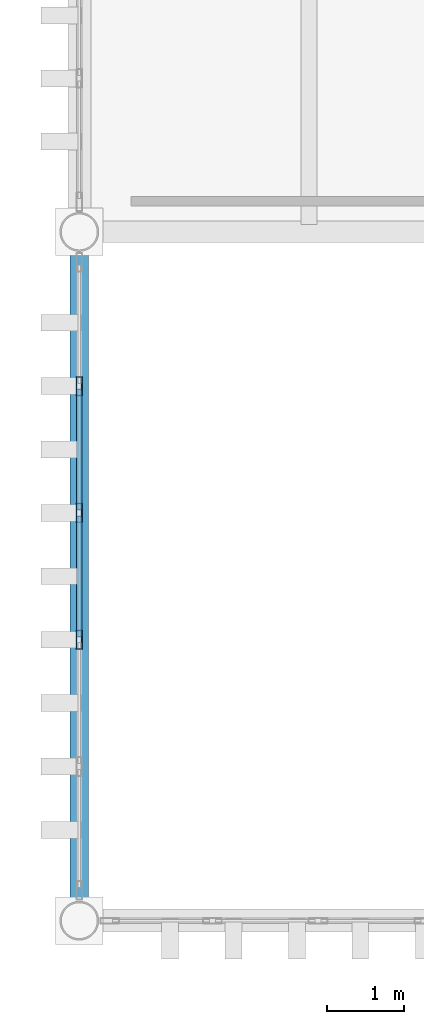
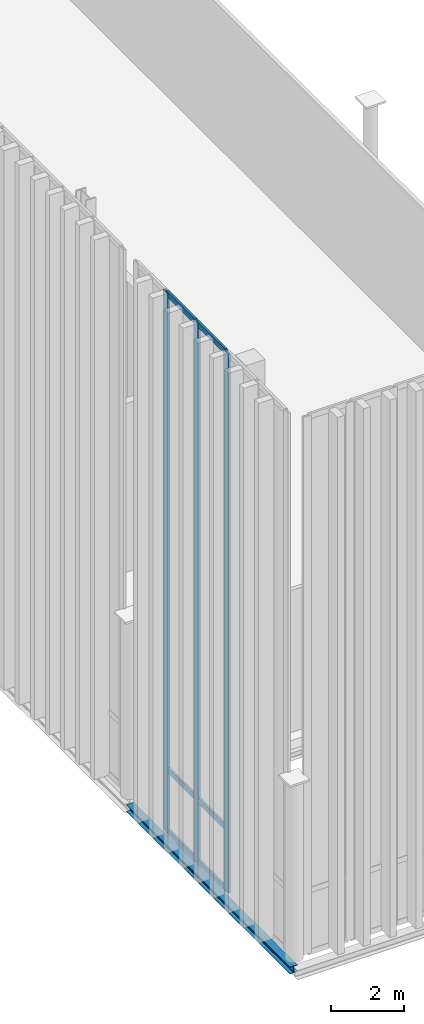
# One storey, part 26 of 237: 9 members, 1 beam, 1 element without a shape of its own.
"""IFC4 building model written with IfcOpenShell, lengths in metres."""

from ifc_helpers import new_model, si_unit, direction, frame, origin, origin_2d, place, context, subcontext, project, spatial, hollow_rectangle, i_section, extrude, material, layer, layer_set, material_profile, profile_set, type_object, element, aggregate, save


model = new_model("IFC4")

# Units and contexts
model_context = context("Model", 3, precision=1e-05, world=origin(), true_north=direction((0.0, 1.0)))
body_context = subcontext(model_context, "Body", "Model", "MODEL_VIEW")
ifc_project = project(units=[si_unit("LENGTHUNIT", "METRE"), si_unit("AREAUNIT", "SQUARE_METRE"), si_unit("VOLUMEUNIT", "CUBIC_METRE"), si_unit("PLANEANGLEUNIT", "RADIAN"), si_unit("MASSUNIT", "GRAM", prefix="KILO")], contexts=[model_context])

# Site, building, storey
site_placement = place(None, origin())
site = spatial("IfcSite", under=ifc_project, at=site_placement, CompositionType="ELEMENT")
building_placement = place(site_placement, origin())
building = spatial("IfcBuilding", under=site, at=building_placement, Name="Barlavento Convention Centre", CompositionType="ELEMENT")
storey_placement = place(building_placement, frame((0.0, 0.0, 12.0)))
storey = spatial("IfcBuildingStorey", under=building, at=storey_placement, Name="L02", CompositionType="ELEMENT", Elevation=12.0)

# Curtain wall, members
ifc_material_1 = material(Name="Powder-coated aluminium and Low-E glass", Category="aluminium")
ifc_layer = layer(ifc_material_1, 0.18994140625)
ifc_layer_set = layer_set([ifc_layer], Name="ARC-CW-CONG-L02")
curtain_wall_type = type_object("IfcCurtainWallType", Name="ARC-CW-CONG-L02", PredefinedType="NOTDEFINED", material=ifc_layer_set)
curtain_wall_placement = place(storey_placement, origin())
curtain_wall = element("IfcCurtainWall", 1, at=curtain_wall_placement, inside=storey, type_object=curtain_wall_type, Name="L02 unitised curtain wall CW02", PredefinedType="NOTDEFINED")
ifc_material_2 = material(Name="Powder-coated aluminium", Category="aluminium")
ifc_material_profile_1 = material_profile(ifc_material_2, hollow_rectangle(XDim=0.074951171875, YDim=0.25, WallThickness=0.006103515625, at=origin_2d()), Name="AL-MULL 75x250x6")
ifc_profile_set_1 = profile_set([ifc_material_profile_1], Name="Powder-coated aluminium")
member_type_1 = type_object("IfcMemberType", Name="ARC-CWM-75X250", PredefinedType="MULLION", material=ifc_profile_set_1)
member_1_placement = place(storey_placement, frame((0.0, 3.671875, 0.0), z_axis=(0.0, 0.0, 1.0), x_axis=(-1.0, 0.0, 0.0)))
member_1 = element("IfcMember", 2, at=member_1_placement, type_object=member_type_1, Name="CW02 mullion 3", PredefinedType="MULLION", context=body_context, shape_type="SweptSolid", body=[
    extrude(hollow_rectangle(XDim=0.074951171875, YDim=0.25, WallThickness=0.006103515625, at=origin_2d()), origin(), (0.0, 0.0, 1.0), 18.037109375),
])
member_2_placement = place(storey_placement, frame((0.0, 5.328125, 0.0), z_axis=(0.0, 0.0, 1.0), x_axis=(-1.0, 0.0, 0.0)))
member_2 = element("IfcMember", 3, at=member_2_placement, type_object=member_type_1, Name="CW02 mullion 4", PredefinedType="MULLION", context=body_context, shape_type="SweptSolid", body=[
    extrude(hollow_rectangle(XDim=0.074951171875, YDim=0.25, WallThickness=0.006103515625, at=origin_2d()), origin(), (0.0, 0.0, 1.0), 18.037109375),
])
member_3_placement = place(storey_placement, frame((0.0, 6.984619140625, 0.0), z_axis=(0.0, 0.0, 1.0), x_axis=(-1.0, 0.0, 0.0)))
member_3 = element("IfcMember", 4, at=member_3_placement, type_object=member_type_1, Name="CW02 mullion 5", PredefinedType="MULLION", context=body_context, shape_type="SweptSolid", body=[
    extrude(hollow_rectangle(XDim=0.074951171875, YDim=0.25, WallThickness=0.006103515625, at=origin_2d()), origin(), (0.0, 0.0, 1.0), 18.037109375),
])
ifc_material_profile_2 = material_profile(ifc_material_2, hollow_rectangle(XDim=0.070068359375, YDim=0.179931640625, WallThickness=0.0048828125, at=origin_2d()), Name="AL-TRAN 70x180x5")
ifc_profile_set_2 = profile_set([ifc_material_profile_2], Name="Powder-coated aluminium")
member_type_2 = type_object("IfcMemberType", Name="ARC-CWT-70X180", PredefinedType="USERDEFINED", material=ifc_profile_set_2)
member_4_placement = place(storey_placement, frame((0.0, 3.709228515625, 0.034912109375), z_axis=(0.0, 1.0, 0.0), x_axis=(-1.0, 0.0, 0.0)))
member_4 = element("IfcMember", 5, at=member_4_placement, type_object=member_type_2, Name="CW02 transom 3.1", ObjectType="TRANSOM", PredefinedType="USERDEFINED", context=body_context, shape_type="SweptSolid", body=[
    extrude(hollow_rectangle(XDim=0.070068359375, YDim=0.179931640625, WallThickness=0.0048828125, at=origin_2d()), origin(), (0.0, 0.0, 1.0), 1.58154296875),
])
member_5_placement = place(storey_placement, frame((0.0, 3.709228515625, 2.10009765625), z_axis=(0.0, 1.0, 0.0), x_axis=(-1.0, 0.0, 0.0)))
member_5 = element("IfcMember", 6, at=member_5_placement, type_object=member_type_2, Name="CW02 transom 3.2", ObjectType="TRANSOM", PredefinedType="USERDEFINED", context=body_context, shape_type="SweptSolid", body=[
    extrude(hollow_rectangle(XDim=0.070068359375, YDim=0.179931640625, WallThickness=0.0048828125, at=origin_2d()), origin(), (0.0, 0.0, 1.0), 1.58154296875),
])
member_6_placement = place(storey_placement, frame((0.0, 3.709228515625, 18.001953125), z_axis=(0.0, 1.0, 0.0), x_axis=(-1.0, 0.0, 0.0)))
member_6 = element("IfcMember", 7, at=member_6_placement, type_object=member_type_2, Name="CW02 transom 3.3", ObjectType="TRANSOM", PredefinedType="USERDEFINED", context=body_context, shape_type="SweptSolid", body=[
    extrude(hollow_rectangle(XDim=0.070068359375, YDim=0.179931640625, WallThickness=0.0048828125, at=origin_2d()), origin(), (0.0, 0.0, 1.0), 1.58154296875),
])
member_7_placement = place(storey_placement, frame((0.0, 5.36572265625, 0.034912109375), z_axis=(0.0, 1.0, 0.0), x_axis=(-1.0, 0.0, 0.0)))
member_7 = element("IfcMember", 8, at=member_7_placement, type_object=member_type_2, Name="CW02 transom 4.1", ObjectType="TRANSOM", PredefinedType="USERDEFINED", context=body_context, shape_type="SweptSolid", body=[
    extrude(hollow_rectangle(XDim=0.070068359375, YDim=0.179931640625, WallThickness=0.0048828125, at=origin_2d()), origin(), (0.0, 0.0, 1.0), 1.581298828125),
])
member_8_placement = place(storey_placement, frame((0.0, 5.36572265625, 2.10009765625), z_axis=(0.0, 1.0, 0.0), x_axis=(-1.0, 0.0, 0.0)))
member_8 = element("IfcMember", 9, at=member_8_placement, type_object=member_type_2, Name="CW02 transom 4.2", ObjectType="TRANSOM", PredefinedType="USERDEFINED", context=body_context, shape_type="SweptSolid", body=[
    extrude(hollow_rectangle(XDim=0.070068359375, YDim=0.179931640625, WallThickness=0.0048828125, at=origin_2d()), origin(), (0.0, 0.0, 1.0), 1.581298828125),
])
member_9_placement = place(storey_placement, frame((0.0, 5.36572265625, 18.001953125), z_axis=(0.0, 1.0, 0.0), x_axis=(-1.0, 0.0, 0.0)))
member_9 = element("IfcMember", 10, at=member_9_placement, type_object=member_type_2, Name="CW02 transom 4.3", ObjectType="TRANSOM", PredefinedType="USERDEFINED", context=body_context, shape_type="SweptSolid", body=[
    extrude(hollow_rectangle(XDim=0.070068359375, YDim=0.179931640625, WallThickness=0.0048828125, at=origin_2d()), origin(), (0.0, 0.0, 1.0), 1.581298828125),
])
aggregate(curtain_wall, [member_1, member_2, member_3, member_4, member_5, member_6, member_7, member_8, member_9])

# Beam
ifc_material_3 = material(Name="Steel S355", Category="steel")
ifc_material_profile_3 = material_profile(ifc_material_3, i_section(OverallWidth=0.239990234375, OverallDepth=0.22998046875, WebThickness=0.007568359375, FlangeThickness=0.011962890625, FilletRadius=0.02099609375, at=origin_2d()), Name="HEA 240")
ifc_profile_set_3 = profile_set([ifc_material_profile_3], Name="Steel S355")
beam_type = type_object("IfcBeamType", Name="STR-BM-SPN-HEA240", PredefinedType="SPANDREL", material=ifc_profile_set_3)
beam_placement = place(storey_placement, frame((0.0, 0.02001953125, -0.4150390625), z_axis=(0.0, 1.0, 0.0), x_axis=(-1.0, 0.0, 0.0)))
element("IfcBeam", 11, at=beam_placement, inside=storey, type_object=beam_type, Name="L02 grid girder SP05", PredefinedType="SPANDREL", context=body_context, shape_type="SweptSolid", body=[
    extrude(i_section(OverallWidth=0.239990234375, OverallDepth=0.22998046875, WebThickness=0.007568359375, FlangeThickness=0.011962890625, FilletRadius=0.02099609375, at=origin_2d()), origin(), (0.0, 0.0, 1.0), 8.9599609375),
])

save(model, "model.ifc")
